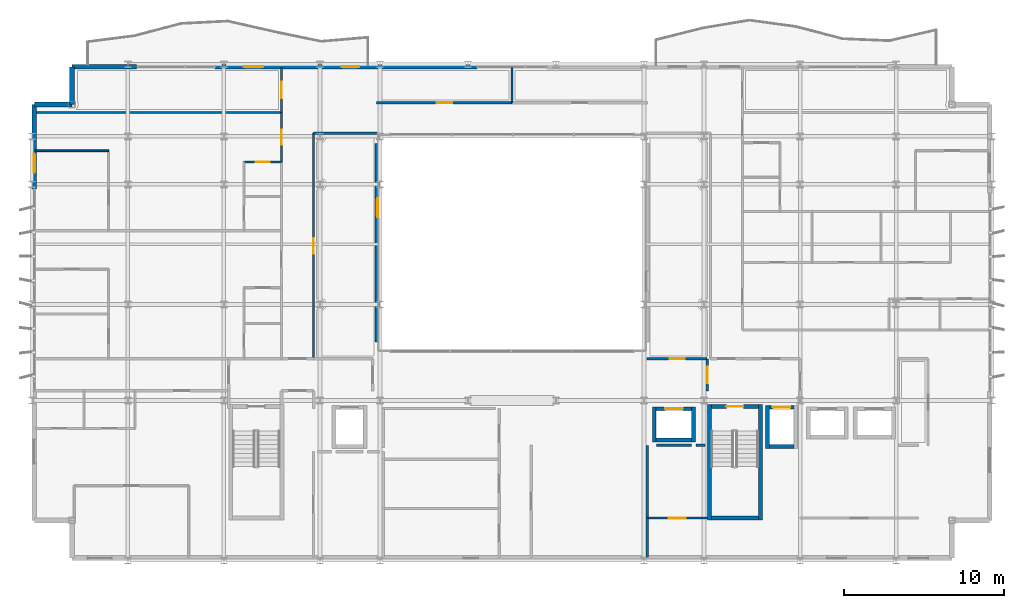
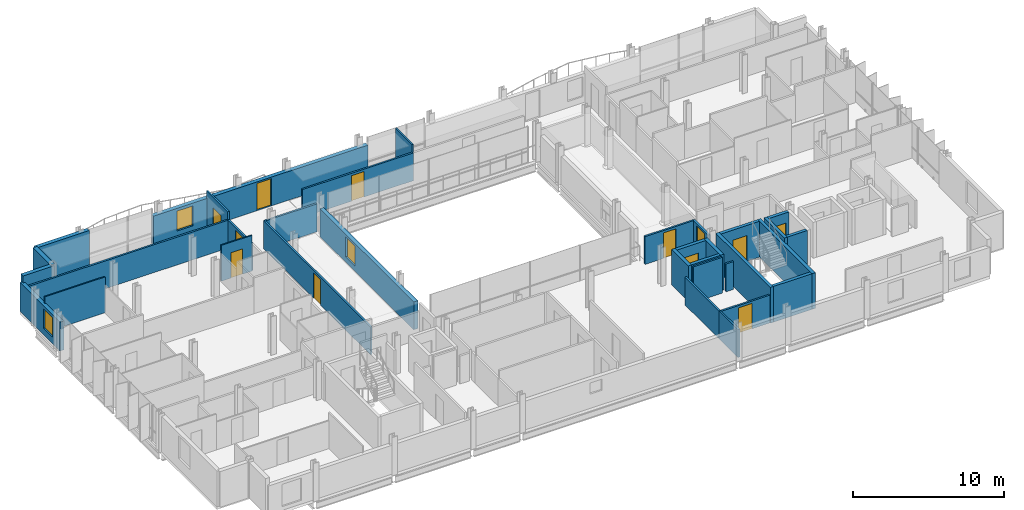
# One storey, part 31 of 38: 33 walls, 12 doors, 3 windows, 15 openings.
"""IFC4 building model written with IfcOpenShell, lengths in metres."""

from ifc_helpers import new_model, si_unit, direction, frame, frame_2d, origin, place, context, subcontext, project, spatial, rectangle, extrude, material, layer, layer_set, type_object, element, fill, save


model = new_model("IFC4")

# Units and contexts
model_context = context("Model", 3, precision=1e-05, world=origin(), true_north=direction((0.0, 1.0)))
body_context = subcontext(model_context, "Body", "Model", "MODEL_VIEW")
ifc_project = project(units=[si_unit("LENGTHUNIT", "METRE"), si_unit("AREAUNIT", "SQUARE_METRE"), si_unit("VOLUMEUNIT", "CUBIC_METRE"), si_unit("PLANEANGLEUNIT", "RADIAN"), si_unit("MASSUNIT", "GRAM", prefix="KILO")], contexts=[model_context])

# Site, building, storey
site_placement = place(None, origin())
site = spatial("IfcSite", under=ifc_project, at=site_placement, CompositionType="ELEMENT")
building_placement = place(site_placement, origin())
building = spatial("IfcBuilding", under=site, at=building_placement, Name="Brevholm Reach", CompositionType="ELEMENT")
storey_placement = place(building_placement, frame((0.0, 0.0, 166.60009765625)))
storey = spatial("IfcBuildingStorey", under=building, at=storey_placement, Name="L50", CompositionType="ELEMENT", Elevation=166.60009765625)

# Walls
ifc_material_1 = material(Name="Concrete C45/55", Category="concrete")
ifc_layer_1 = layer(ifc_material_1, 0.239990234375)
ifc_layer_set_1 = layer_set([ifc_layer_1], Name="Concrete C45/55")
wall_type_1 = type_object("IfcWallType", Name="WAL-COR-240", PredefinedType="SHEAR", material=ifc_layer_set_1)
for number, where, z_axis, x_axis, name in (
    (1, (42.330078125, 2.5400390625, 0.0), (0.0, 0.0, 1.0), (0.0, 1.0, 0.0), "L50 Escape Stair ST-2 Core Wall W"),
    (2, (45.52001953125, 2.5400390625, 0.0), (0.0, 0.0, 1.0), (0.0, 1.0, 0.0), "L50 Escape Stair ST-2 Core Wall E"),
):
    element("IfcWall", number, at=place(storey_placement, frame(where, z_axis=z_axis, x_axis=x_axis)), inside=storey, type_object=wall_type_1, Name=name, PredefinedType="SHEAR", context=body_context, shape_type="SweptSolid", body=[
        extrude(rectangle(XDim=7.199951171875, YDim=0.239990234375, at=frame_2d((3.60009765625, 0.0))), origin(), (0.0, 0.0, 1.0), 2.8798828125),
    ])
wall_1_placement = place(storey_placement, frame((42.449951171875, 2.659912109375, 0.0), z_axis=(0.0, 0.0, 1.0), x_axis=(1.0, 0.0, 0.0)))
element("IfcWall", 3, at=wall_1_placement, inside=storey, type_object=wall_type_1, Name="L50 Escape Stair ST-2 Core Wall S", PredefinedType="SHEAR", context=body_context, shape_type="SweptSolid", body=[
    extrude(rectangle(XDim=2.949951171875, YDim=0.239990234375, at=frame_2d((1.47509765625, 0.0))), origin(), (0.0, 0.0, 1.0), 2.8798828125),
])

# Wall, opening, door
wall_2_placement = place(storey_placement, frame((45.39990234375, 9.6201171875, 0.0), z_axis=(0.0, 0.0, 1.0), x_axis=(-1.0, 0.0, 0.0)))
wall_2 = element("IfcWall", 4, at=wall_2_placement, inside=storey, type_object=wall_type_1, Name="L50 Escape Stair ST-2 Core Wall N", PredefinedType="SHEAR", context=body_context, shape_type="SweptSolid", body=[
    extrude(rectangle(XDim=2.949951171875, YDim=0.239990234375, at=frame_2d((1.47509765625, 0.0))), origin(), (0.0, 0.0, 1.0), 2.8798828125),
])
opening_1_placement = place(wall_2_placement, frame((0.949951171875, 0.0, 0.0)))
opening_1 = element("IfcOpeningElement", 5, at=opening_1_placement, cuts=wall_2, Name="Opening SD-ST-2", PredefinedType="OPENING", context=body_context, shape_type="SweptSolid", body=[
    extrude(rectangle(XDim=1.050048828125, YDim=2.06005859375, at=frame_2d((0.52490234375, 1.030029296875))), frame((0.0, 0.1298828125, 0.0), z_axis=(0.0, -1.0, 0.0), x_axis=(1.0, 0.0, 0.0)), (0.0, 0.0, 1.0), 0.260009765625),
])
ifc_material_2 = material(Name="Hardwood-Lipped Steel-Core Fire and Smoke Door", Category="steel")
door_type_1 = type_object("IfcDoorType", Name="DOR-INT-FD60S", OperationType="NOTDEFINED", PredefinedType="DOOR", material=ifc_material_2)
door_1_placement = place(opening_1_placement, origin())
door_1 = element("IfcDoor", 6, at=door_1_placement, inside=storey, type_object=door_type_1, Name="L50 Protected Stair ST-2 Lobby Door", OperationType="SINGLE_SWING_LEFT", OverallHeight=2.06005859375, OverallWidth=1.050048828125, PredefinedType="DOOR", context=body_context, shape_type="SweptSolid", body=[
    extrude(rectangle(XDim=1.050048828125, YDim=2.06005859375, at=frame_2d((0.52490234375, 1.030029296875))), frame((0.0, 0.02490234375, 0.0), z_axis=(0.0, -1.0, 0.0), x_axis=(1.0, 0.0, 0.0)), (0.0, 0.0, 1.0), 0.050048828125),
])
fill(opening_1, door_1)

# Walls
wall_3_placement = place(storey_placement, frame((45.969970703125, 7.0, 0.0), z_axis=(0.0, 0.0, 1.0), x_axis=(0.0, 1.0, 0.0)))
element("IfcWall", 7, at=wall_3_placement, inside=storey, type_object=wall_type_1, Name="L50 Lift FFL-2 Shaft Wall W", PredefinedType="SHEAR", context=body_context, shape_type="SweptSolid", body=[
    extrude(rectangle(XDim=2.699951171875, YDim=0.239990234375, at=frame_2d((1.35009765625, 0.0))), origin(), (0.0, 0.0, 1.0), 2.8798828125),
])
wall_4_placement = place(storey_placement, frame((46.090087890625, 7.1201171875, 0.0), z_axis=(0.0, 0.0, 1.0), x_axis=(1.0, 0.0, 0.0)))
element("IfcWall", 8, at=wall_4_placement, inside=storey, type_object=wall_type_1, Name="L50 Lift FFL-2 Shaft Wall S", PredefinedType="SHEAR", context=body_context, shape_type="SweptSolid", body=[
    extrude(rectangle(XDim=1.52001953125, YDim=0.239990234375, at=frame_2d((0.760009765625, 0.0))), origin(), (0.0, 0.0, 1.0), 2.8798828125),
])

# Wall, opening, door
wall_5_placement = place(storey_placement, frame((46.090087890625, 9.580078125, 0.0), z_axis=(0.0, 0.0, 1.0), x_axis=(1.0, 0.0, 0.0)))
wall_5 = element("IfcWall", 9, at=wall_5_placement, inside=storey, type_object=wall_type_1, Name="L50 Lift FFL-2 Shaft Wall N", PredefinedType="SHEAR", context=body_context, shape_type="SweptSolid", body=[
    extrude(rectangle(XDim=1.52001953125, YDim=0.239990234375, at=frame_2d((0.760009765625, 0.0))), origin(), (0.0, 0.0, 1.0), 2.8798828125),
])
opening_2_placement = place(wall_5_placement, frame((0.2099609375, 0.0, 0.0)))
opening_2 = element("IfcOpeningElement", 10, at=opening_2_placement, cuts=wall_5, Name="Opening LD-FFL-2", PredefinedType="OPENING", context=body_context, shape_type="SweptSolid", body=[
    extrude(rectangle(XDim=1.10009765625, YDim=2.06005859375, at=frame_2d((0.550048828125, 1.030029296875))), frame((0.0, 0.1298828125, 0.0), z_axis=(0.0, -1.0, 0.0), x_axis=(1.0, 0.0, 0.0)), (0.0, 0.0, 1.0), 0.260009765625),
])
ifc_material_3 = material(Name="Brushed Stainless Steel Fire-Rated Sliding Lift Door", Category="steel")
door_type_2 = type_object("IfcDoorType", Name="DOR-LFT-1100", OperationType="NOTDEFINED", PredefinedType="DOOR", material=ifc_material_3)
door_2_placement = place(opening_2_placement, origin())
door_2 = element("IfcDoor", 11, at=door_2_placement, inside=storey, type_object=door_type_2, Name="L50 Lift FFL-2 Sliding Landing Door", OperationType="SLIDING_TO_LEFT", OverallHeight=2.06005859375, OverallWidth=1.10009765625, PredefinedType="DOOR", context=body_context, shape_type="SweptSolid", body=[
    extrude(rectangle(XDim=1.10009765625, YDim=2.06005859375, at=frame_2d((0.550048828125, 1.030029296875))), frame((0.0, 0.02490234375, 0.0), z_axis=(0.0, -1.0, 0.0), x_axis=(1.0, 0.0, 0.0)), (0.0, 0.0, 1.0), 0.050048828125),
])
fill(opening_2, door_2)

# Walls
for number, where, z_axis, x_axis, name in (
    (12, (38.889892578125, 7.39990234375, 0.0), (0.0, 0.0, 1.0), (0.0, 1.0, 0.0), "L50 Lift PL-S1 Shaft Wall W"),
    (13, (41.35009765625, 7.39990234375, 0.0), (0.0, 0.0, 1.0), (0.0, 1.0, 0.0), "L50 Lift PL-S1 Shaft Wall E"),
):
    element("IfcWall", number, at=place(storey_placement, frame(where, z_axis=z_axis, x_axis=x_axis)), inside=storey, type_object=wall_type_1, Name=name, PredefinedType="SHEAR", context=body_context, shape_type="SweptSolid", body=[
        extrude(rectangle(XDim=2.2001953125, YDim=0.239990234375, at=frame_2d((1.10009765625, 0.0))), origin(), (0.0, 0.0, 1.0), 2.8798828125),
    ])
wall_6_placement = place(storey_placement, frame((39.010009765625, 7.52001953125, 0.0), z_axis=(0.0, 0.0, 1.0), x_axis=(1.0, 0.0, 0.0)))
element("IfcWall", 14, at=wall_6_placement, inside=storey, type_object=wall_type_1, Name="L50 Lift PL-S1 Shaft Wall S", PredefinedType="SHEAR", context=body_context, shape_type="SweptSolid", body=[
    extrude(rectangle(XDim=2.219970703125, YDim=0.239990234375, at=frame_2d((1.10986328125, 0.0))), origin(), (0.0, 0.0, 1.0), 2.8798828125),
])

# Wall, opening, door
wall_7_placement = place(storey_placement, frame((39.010009765625, 9.47998046875, 0.0), z_axis=(0.0, 0.0, 1.0), x_axis=(1.0, 0.0, 0.0)))
wall_7 = element("IfcWall", 15, at=wall_7_placement, inside=storey, type_object=wall_type_1, Name="L50 Lift PL-S1 Shaft Wall N", PredefinedType="SHEAR", context=body_context, shape_type="SweptSolid", body=[
    extrude(rectangle(XDim=2.219970703125, YDim=0.239990234375, at=frame_2d((1.10986328125, 0.0))), origin(), (0.0, 0.0, 1.0), 2.8798828125),
])
opening_3_placement = place(wall_7_placement, frame((0.56005859375, 0.0, 0.0)))
opening_3 = element("IfcOpeningElement", 16, at=opening_3_placement, cuts=wall_7, Name="Opening LD-PL-S1", PredefinedType="OPENING", context=body_context, shape_type="SweptSolid", body=[
    extrude(rectangle(XDim=1.10009765625, YDim=2.06005859375, at=frame_2d((0.550048828125, 1.030029296875))), frame((0.0, 0.1298828125, 0.0), z_axis=(0.0, -1.0, 0.0), x_axis=(1.0, 0.0, 0.0)), (0.0, 0.0, 1.0), 0.260009765625),
])
door_3_placement = place(opening_3_placement, origin())
door_3 = element("IfcDoor", 17, at=door_3_placement, inside=storey, type_object=door_type_2, Name="L50 Lift PL-S1 Sliding Landing Door", OperationType="SLIDING_TO_RIGHT", OverallHeight=2.06005859375, OverallWidth=1.10009765625, PredefinedType="DOOR", context=body_context, shape_type="SweptSolid", body=[
    extrude(rectangle(XDim=1.10009765625, YDim=2.06005859375, at=frame_2d((0.550048828125, 1.030029296875))), frame((0.0, 0.02490234375, 0.0), z_axis=(0.0, -1.0, 0.0), x_axis=(1.0, 0.0, 0.0)), (0.0, 0.0, 1.0), 0.050048828125),
])
fill(opening_3, door_3)

# Walls
ifc_material_4 = material(Name="Concrete C40/50", Category="concrete")
ifc_layer_2 = layer(ifc_material_4, 0.300048828125)
ifc_layer_set_2 = layer_set([ifc_layer_2], Name="Concrete C40/50")
wall_type_2 = type_object("IfcWallType", Name="WAL-EXT-300", PredefinedType="STANDARD", material=ifc_layer_set_2)
for number, where, z_axis, x_axis, name in (
    (18, (2.5, 30.85009765625, 0.0), (0.0, 0.0, 1.0), (0.0, -1.0, 0.0), "L50 Facade Wall WAL-L50-CNW1"),
    (19, (2.5, 28.5, 0.0), (0.0, 0.0, 1.0), (-1.0, 0.0, 0.0), "L50 Facade Wall WAL-L50-CNW2"),
):
    element("IfcWall", number, at=place(storey_placement, frame(where, z_axis=z_axis, x_axis=x_axis)), inside=storey, type_object=wall_type_2, Name=name, PredefinedType="STANDARD", context=body_context, shape_type="SweptSolid", body=[
        extrude(rectangle(XDim=2.35009765625, YDim=0.300048828125, at=frame_2d((1.175048828125, 0.0))), origin(), (0.0, 0.0, 1.0), 2.8798828125),
    ])

# Wall, opening, window
wall_8_placement = place(storey_placement, frame((0.14990234375, 28.5, 0.0), z_axis=(0.0, 0.0, 1.0), x_axis=(0.0, -1.0, 0.0)))
wall_8 = element("IfcWall", 20, at=wall_8_placement, inside=storey, type_object=wall_type_2, Name="L50 Facade Wall WAL-L50-W-N", PredefinedType="STANDARD", context=body_context, shape_type="SweptSolid", body=[
    extrude(rectangle(XDim=5.280029296875, YDim=0.300048828125, at=frame_2d((2.64013671875, 0.0))), origin(), (0.0, 0.0, 1.0), 2.32177734375),
])
opening_4_placement = place(wall_8_placement, frame((3.080078125, 0.0, 0.501953125)))
opening_4 = element("IfcOpeningElement", 21, at=opening_4_placement, cuts=wall_8, Name="Opening WN-08", PredefinedType="OPENING", context=body_context, shape_type="SweptSolid", body=[
    extrude(rectangle(XDim=1.199951171875, YDim=1.60009765625, at=frame_2d((0.60009765625, 0.800048828125))), frame((0.0, 0.159912109375, 0.0), z_axis=(0.0, -1.0, 0.0), x_axis=(1.0, 0.0, 0.0)), (0.0, 0.0, 1.0), 0.320068359375),
])
ifc_material_5 = material(Name="Dark Anodised Aluminium and Solar-Control IGU Glass", Category="aluminium")
window_type = type_object("IfcWindowType", Name="WIN-RES-1200", PartitioningType="SINGLE_PANEL", PredefinedType="WINDOW", material=ifc_material_5)
window_1_placement = place(opening_4_placement, origin())
window_1 = element("IfcWindow", 22, at=window_1_placement, inside=storey, type_object=window_type, Name="L50 Window WIN-L50-WN-1", OverallHeight=1.60009765625, OverallWidth=1.199951171875, PartitioningType="SINGLE_PANEL", PredefinedType="WINDOW", context=body_context, shape_type="SweptSolid", body=[
    extrude(rectangle(XDim=1.199951171875, YDim=1.60009765625, at=frame_2d((0.60009765625, 0.800048828125))), frame((0.0, 0.030029296875, 0.0), z_axis=(0.0, -1.0, 0.0), x_axis=(1.0, 0.0, 0.0)), (0.0, 0.0, 1.0), 0.06005859375),
])
fill(opening_4, window_1)

# Wall
wall_9_placement = place(storey_placement, frame((2.5, 30.85009765625, 0.0), z_axis=(0.0, 0.0, 1.0), x_axis=(1.0, 0.0, 0.0)))
element("IfcWall", 23, at=wall_9_placement, inside=storey, type_object=wall_type_2, Name="L50 Facade Wall WAL-L50-NP-W0", PredefinedType="STANDARD", context=body_context, shape_type="SweptSolid", body=[
    extrude(rectangle(XDim=4.050048828125, YDim=0.300048828125, at=frame_2d((2.02490234375, 0.0))), origin(), (0.0, 0.0, 1.0), 2.8798828125),
])

# Wall, openings, door, window
wall_10_placement = place(storey_placement, frame((11.449951171875, 30.85009765625, 0.0), z_axis=(0.0, 0.0, 1.0), x_axis=(1.0, 0.0, 0.0)))
wall_10 = element("IfcWall", 24, at=wall_10_placement, inside=storey, type_object=wall_type_2, Name="L50 Facade Wall WAL-L50-NP-WL", PredefinedType="STANDARD", context=body_context, shape_type="SweptSolid", body=[
    extrude(rectangle(XDim=16.35009765625, YDim=0.300048828125, at=frame_2d((8.175048828125, 0.0))), origin(), (0.0, 0.0, 1.0), 2.32177734375),
])
opening_5_placement = place(wall_10_placement, frame((7.89794921875, 0.0, 0.0)))
opening_5 = element("IfcOpeningElement", 25, at=opening_5_placement, cuts=wall_10, Name="Opening BD-01", PredefinedType="OPENING", context=body_context, shape_type="SweptSolid", body=[
    extrude(rectangle(XDim=1.10009765625, YDim=2.199951171875, at=frame_2d((0.550048828125, 1.10009765625))), frame((0.0, 0.159912109375, 0.0), z_axis=(0.0, -1.0, 0.0), x_axis=(1.0, 0.0, 0.0)), (0.0, 0.0, 1.0), 0.320068359375),
])
opening_6_placement = place(wall_10_placement, frame((1.800048828125, 0.0, 0.501953125)))
opening_6 = element("IfcOpeningElement", 26, at=opening_6_placement, cuts=wall_10, Name="Opening WN-08", PredefinedType="OPENING", context=body_context, shape_type="SweptSolid", body=[
    extrude(rectangle(XDim=1.199951171875, YDim=1.60009765625, at=frame_2d((0.60009765625, 0.800048828125))), frame((0.0, 0.159912109375, 0.0), z_axis=(0.0, -1.0, 0.0), x_axis=(1.0, 0.0, 0.0)), (0.0, 0.0, 1.0), 0.320068359375),
])
ifc_material_6 = material(Name="Dark Anodised Aluminium and Triple-Glazed Glass", Category="aluminium")
door_type_3 = type_object("IfcDoorType", Name="DOR-BALC-1100", OperationType="NOTDEFINED", PredefinedType="DOOR", material=ifc_material_6)
door_4_placement = place(opening_5_placement, origin())
door_4 = element("IfcDoor", 27, at=door_4_placement, inside=storey, type_object=door_type_3, Name="L50 Exterior Door DOR-L50-BL-NW", OperationType="SINGLE_SWING_RIGHT", OverallHeight=2.199951171875, OverallWidth=1.10009765625, PredefinedType="DOOR", context=body_context, shape_type="SweptSolid", body=[
    extrude(rectangle(XDim=1.10009765625, YDim=2.199951171875, at=frame_2d((0.550048828125, 1.10009765625))), frame((0.0, 0.02490234375, 0.0), z_axis=(0.0, -1.0, 0.0), x_axis=(1.0, 0.0, 0.0)), (0.0, 0.0, 1.0), 0.050048828125),
])
fill(opening_5, door_4)
window_2_placement = place(opening_6_placement, origin())
window_2 = element("IfcWindow", 28, at=window_2_placement, inside=storey, type_object=window_type, Name="L50 Window WIN-L50-NP-WL1", OverallHeight=1.60009765625, OverallWidth=1.199951171875, PartitioningType="SINGLE_PANEL", PredefinedType="WINDOW", context=body_context, shape_type="SweptSolid", body=[
    extrude(rectangle(XDim=1.199951171875, YDim=1.60009765625, at=frame_2d((0.60009765625, 0.800048828125))), frame((0.0, 0.030029296875, 0.0), z_axis=(0.0, -1.0, 0.0), x_axis=(1.0, 0.0, 0.0)), (0.0, 0.0, 1.0), 0.06005859375),
])
fill(opening_6, window_2)

# Wall, opening, window
wall_11_placement = place(storey_placement, frame((21.60009765625, 26.050048828125, 0.0), z_axis=(0.0, 0.0, 1.0), x_axis=(0.0, -1.0, 0.0)))
wall_11 = element("IfcWall", 29, at=wall_11_placement, inside=storey, type_object=wall_type_2, Name="L50 Facade Wall WAL-L50-AT-W", PredefinedType="STANDARD", context=body_context, shape_type="SweptSolid", body=[
    extrude(rectangle(XDim=12.400146484375, YDim=0.300048828125, at=frame_2d((6.2001953125, 0.0))), origin(), (0.0, 0.0, 1.0), 2.24267578125),
])
opening_7_placement = place(wall_11_placement, frame((3.39990234375, 0.0, 0.423095703125)))
opening_7 = element("IfcOpeningElement", 30, at=opening_7_placement, cuts=wall_11, Name="Opening WN-08", PredefinedType="OPENING", context=body_context, shape_type="SweptSolid", body=[
    extrude(rectangle(XDim=1.199951171875, YDim=1.60009765625, at=frame_2d((0.60009765625, 0.800048828125))), frame((0.0, 0.159912109375, 0.0), z_axis=(0.0, -1.0, 0.0), x_axis=(1.0, 0.0, 0.0)), (0.0, 0.0, 1.0), 0.320068359375),
])
window_3_placement = place(opening_7_placement, origin())
window_3 = element("IfcWindow", 31, at=window_3_placement, inside=storey, type_object=window_type, Name="L50 Window WIN-L50-AT-W1", OverallHeight=1.60009765625, OverallWidth=1.199951171875, PartitioningType="SINGLE_PANEL", PredefinedType="WINDOW", context=body_context, shape_type="SweptSolid", body=[
    extrude(rectangle(XDim=1.199951171875, YDim=1.60009765625, at=frame_2d((0.60009765625, 0.800048828125))), frame((0.0, 0.030029296875, 0.0), z_axis=(0.0, -1.0, 0.0), x_axis=(1.0, 0.0, 0.0)), (0.0, 0.0, 1.0), 0.06005859375),
])
fill(opening_7, window_3)

# Wall, opening, door
ifc_material_7 = material(Name="Moisture-Resistant Acoustic Gypsum Stud Partition 100 mm", Category="gypsum")
ifc_layer_3 = layer(ifc_material_7, 0.10009765625)
ifc_layer_set_3 = layer_set([ifc_layer_3], Name="Moisture-Resistant Acoustic Gypsum Stud Partition 100 mm")
wall_type_3 = type_object("IfcWallType", Name="WAL-PRT-100", PredefinedType="PARTITIONING", material=ifc_layer_set_3)
wall_12_placement = place(storey_placement, frame((13.25, 24.89990234375, 0.0), z_axis=(0.0, 0.0, 1.0), x_axis=(1.0, 0.0, 0.0)))
wall_12 = element("IfcWall", 32, at=wall_12_placement, inside=storey, type_object=wall_type_3, Name="L50 Internal Partition 081", PredefinedType="PARTITIONING", context=body_context, shape_type="SweptSolid", body=[
    extrude(rectangle(XDim=2.345947265625, YDim=0.10009765625, at=frame_2d((1.1728515625, 0.0))), origin(), (0.0, 0.0, 1.0), 2.8798828125),
])
opening_8_placement = place(wall_12_placement, frame((0.73291015625, 0.0, 0.0)))
opening_8 = element("IfcOpeningElement", 33, at=opening_8_placement, cuts=wall_12, Name="Opening ID-01", PredefinedType="OPENING", context=body_context, shape_type="SweptSolid", body=[
    extrude(rectangle(XDim=0.8798828125, YDim=2.0400390625, at=frame_2d((0.43994140625, 1.02001953125))), frame((0.0, 0.06005859375, 0.0), z_axis=(0.0, -1.0, 0.0), x_axis=(1.0, 0.0, 0.0)), (0.0, 0.0, 1.0), 0.1201171875),
])
ifc_material_8 = material(Name="Lacquered Ash Solid-Core Acoustic Internal Door", Category="timber")
door_type_4 = type_object("IfcDoorType", Name="DOR-INT-880", OperationType="NOTDEFINED", PredefinedType="DOOR", material=ifc_material_8)
door_5_placement = place(opening_8_placement, origin())
door_5 = element("IfcDoor", 34, at=door_5_placement, inside=storey, type_object=door_type_4, Name="L50 Internal Door 036", OperationType="SINGLE_SWING_RIGHT", OverallHeight=2.0400390625, OverallWidth=0.8798828125, PredefinedType="DOOR", context=body_context, shape_type="SweptSolid", body=[
    extrude(rectangle(XDim=0.8798828125, YDim=2.0400390625, at=frame_2d((0.43994140625, 1.02001953125))), frame((0.0, 0.02490234375, 0.0), z_axis=(0.0, -1.0, 0.0), x_axis=(1.0, 0.0, 0.0)), (0.0, 0.0, 1.0), 0.050048828125),
])
fill(opening_8, door_5)

# Walls
wall_13_placement = place(storey_placement, frame((0.199951171875, 25.60009765625, 0.0), z_axis=(0.0, 0.0, 1.0), x_axis=(1.0, 0.0, 0.0)))
element("IfcWall", 35, at=wall_13_placement, inside=storey, type_object=wall_type_3, Name="L50 Internal Partition 084", PredefinedType="PARTITIONING", context=body_context, shape_type="SweptSolid", body=[
    extrude(rectangle(XDim=4.60009765625, YDim=0.10009765625, at=frame_2d((2.300048828125, 0.0))), origin(), (0.0, 0.0, 1.0), 2.8798828125),
])
wall_14_placement = place(storey_placement, frame((30.0, 28.60400390625, 0.0), z_axis=(0.0, 0.0, 1.0), x_axis=(0.0, 1.0, 0.0)))
element("IfcWall", 36, at=wall_14_placement, inside=storey, type_object=wall_type_3, Name="L50 Internal Partition 109", PredefinedType="PARTITIONING", context=body_context, shape_type="SweptSolid", body=[
    extrude(rectangle(XDim=2.196044921875, YDim=0.10009765625, at=frame_2d((1.09814453125, 0.0))), origin(), (0.0, 0.0, 1.0), 2.8798828125),
])
ifc_material_9 = material(Name="Twin-Stud Acoustic Fire-Rated Gypsum Partition 140 mm", Category="gypsum")
ifc_layer_4 = layer(ifc_material_9, 0.139892578125)
ifc_layer_set_4 = layer_set([ifc_layer_4], Name="Twin-Stud Acoustic Fire-Rated Gypsum Partition 140 mm")
wall_type_4 = type_object("IfcWallType", Name="WAL-PRT-140", PredefinedType="PARTITIONING", material=ifc_layer_set_4)
wall_15_placement = place(storey_placement, frame((38.449951171875, 0.179931640625, 0.0), z_axis=(0.0, 0.0, 1.0), x_axis=(0.0, 1.0, 0.0)))
element("IfcWall", 37, at=wall_15_placement, inside=storey, type_object=wall_type_4, Name="L50 Internal Partition 010", PredefinedType="PARTITIONING", context=body_context, shape_type="SweptSolid", body=[
    extrude(rectangle(XDim=2.4814453125, YDim=0.139892578125, at=frame_2d((1.24072265625, 0.0))), origin(), (0.0, 0.0, 1.0), 2.24267578125),
])
wall_16_placement = place(storey_placement, frame((38.449951171875, 2.642578125, 0.0), z_axis=(0.0, 0.0, 1.0), x_axis=(0.0, 1.0, 0.0)))
element("IfcWall", 38, at=wall_16_placement, inside=storey, type_object=wall_type_4, Name="L50 Internal Partition 011", PredefinedType="PARTITIONING", context=body_context, shape_type="SweptSolid", body=[
    extrude(rectangle(XDim=4.557373046875, YDim=0.139892578125, at=frame_2d((2.27880859375, 0.0))), origin(), (0.0, 0.0, 1.0), 2.24267578125),
])

# Wall, opening, door
wall_17_placement = place(storey_placement, frame((38.4541015625, 2.64990234375, 0.0), z_axis=(0.0, 0.0, 1.0), x_axis=(1.0, 0.0, 0.0)))
wall_17 = element("IfcWall", 39, at=wall_17_placement, inside=storey, type_object=wall_type_4, Name="L50 Internal Partition 013", PredefinedType="PARTITIONING", context=body_context, shape_type="SweptSolid", body=[
    extrude(rectangle(XDim=3.745849609375, YDim=0.139892578125, at=frame_2d((1.873046875, 0.0))), origin(), (0.0, 0.0, 1.0), 2.24267578125),
])
opening_9_placement = place(wall_17_placement, frame((1.347900390625, 0.0, 0.0)))
opening_9 = element("IfcOpeningElement", 40, at=opening_9_placement, cuts=wall_17, Name="Opening FD-01", PredefinedType="OPENING", context=body_context, shape_type="SweptSolid", body=[
    extrude(rectangle(XDim=1.050048828125, YDim=2.06005859375, at=frame_2d((0.52490234375, 1.030029296875))), frame((0.0, 0.079833984375, 0.0), z_axis=(0.0, -1.0, 0.0), x_axis=(1.0, 0.0, 0.0)), (0.0, 0.0, 1.0), 0.159912109375),
])
door_6_placement = place(opening_9_placement, origin())
door_6 = element("IfcDoor", 41, at=door_6_placement, inside=storey, type_object=door_type_1, Name="L50 Internal Door 006", OperationType="SINGLE_SWING_RIGHT", OverallHeight=2.06005859375, OverallWidth=1.050048828125, PredefinedType="DOOR", context=body_context, shape_type="SweptSolid", body=[
    extrude(rectangle(XDim=1.050048828125, YDim=2.06005859375, at=frame_2d((0.52490234375, 1.030029296875))), frame((0.0, 0.02490234375, 0.0), z_axis=(0.0, -1.0, 0.0), x_axis=(1.0, 0.0, 0.0)), (0.0, 0.0, 1.0), 0.050048828125),
])
fill(opening_9, door_6)

wall_18_placement = place(storey_placement, frame((38.438720703125, 12.60009765625, 0.0), z_axis=(0.0, 0.0, 1.0), x_axis=(1.0, 0.0, 0.0)))
wall_18 = element("IfcWall", 42, at=wall_18_placement, inside=storey, type_object=wall_type_4, Name="L50 Internal Partition 033", PredefinedType="PARTITIONING", context=body_context, shape_type="SweptSolid", body=[
    extrude(rectangle(XDim=3.75732421875, YDim=0.139892578125, at=frame_2d((1.878662109375, 0.0))), origin(), (0.0, 0.0, 1.0), 2.24267578125),
])
opening_10_placement = place(wall_18_placement, frame((1.40380859375, 0.0, 0.0)))
opening_10 = element("IfcOpeningElement", 43, at=opening_10_placement, cuts=wall_18, Name="Opening ID-30", PredefinedType="OPENING", context=body_context, shape_type="SweptSolid", body=[
    extrude(rectangle(XDim=0.949951171875, YDim=2.050048828125, at=frame_2d((0.47509765625, 1.02490234375))), frame((0.0, 0.079833984375, 0.0), z_axis=(0.0, -1.0, 0.0), x_axis=(1.0, 0.0, 0.0)), (0.0, 0.0, 1.0), 0.159912109375),
])
ifc_material_10 = material(Name="European Oak Veneered Solid-Core Fire Entrance Door", Category="timber")
door_type_5 = type_object("IfcDoorType", Name="DOR-FLT-FD30S", OperationType="NOTDEFINED", PredefinedType="DOOR", material=ifc_material_10)
door_7_placement = place(opening_10_placement, origin())
door_7 = element("IfcDoor", 44, at=door_7_placement, inside=storey, type_object=door_type_5, Name="L50 Internal Door 017", OperationType="SINGLE_SWING_LEFT", OverallHeight=2.050048828125, OverallWidth=0.949951171875, PredefinedType="DOOR", context=body_context, shape_type="SweptSolid", body=[
    extrude(rectangle(XDim=0.949951171875, YDim=2.050048828125, at=frame_2d((0.47509765625, 1.02490234375))), frame((0.0, 0.02490234375, 0.0), z_axis=(0.0, -1.0, 0.0), x_axis=(1.0, 0.0, 0.0)), (0.0, 0.0, 1.0), 0.050048828125),
])
fill(opening_10, door_7)

wall_19_placement = place(storey_placement, frame((15.60009765625, 24.892578125, 0.0), z_axis=(0.0, 0.0, 1.0), x_axis=(0.0, 1.0, 0.0)))
wall_19 = element("IfcWall", 45, at=wall_19_placement, inside=storey, type_object=wall_type_4, Name="L50 Internal Partition 039", PredefinedType="PARTITIONING", context=body_context, shape_type="SweptSolid", body=[
    extrude(rectangle(XDim=3.11865234375, YDim=0.139892578125, at=frame_2d((1.559326171875, 0.0))), origin(), (0.0, 0.0, 1.0), 2.24267578125),
])
opening_11_placement = place(wall_19_placement, frame((1.084228515625, 0.0, 0.0)))
opening_11 = element("IfcOpeningElement", 46, at=opening_11_placement, cuts=wall_19, Name="Opening ID-30", PredefinedType="OPENING", context=body_context, shape_type="SweptSolid", body=[
    extrude(rectangle(XDim=0.949951171875, YDim=2.050048828125, at=frame_2d((0.47509765625, 1.02490234375))), frame((0.0, 0.079833984375, 0.0), z_axis=(0.0, -1.0, 0.0), x_axis=(1.0, 0.0, 0.0)), (0.0, 0.0, 1.0), 0.159912109375),
])
door_8_placement = place(opening_11_placement, origin())
door_8 = element("IfcDoor", 47, at=door_8_placement, inside=storey, type_object=door_type_5, Name="L50 Internal Door 019", OperationType="SINGLE_SWING_LEFT", OverallHeight=2.050048828125, OverallWidth=0.949951171875, PredefinedType="DOOR", context=body_context, shape_type="SweptSolid", body=[
    extrude(rectangle(XDim=0.949951171875, YDim=2.050048828125, at=frame_2d((0.47509765625, 1.02490234375))), frame((0.0, 0.02490234375, 0.0), z_axis=(0.0, -1.0, 0.0), x_axis=(1.0, 0.0, 0.0)), (0.0, 0.0, 1.0), 0.050048828125),
])
fill(opening_11, door_8)

wall_20_placement = place(storey_placement, frame((17.60009765625, 12.60400390625, 0.0), z_axis=(0.0, 0.0, 1.0), x_axis=(0.0, 1.0, 0.0)))
wall_20 = element("IfcWall", 48, at=wall_20_placement, inside=storey, type_object=wall_type_4, Name="L50 Internal Partition 040", PredefinedType="PARTITIONING", context=body_context, shape_type="SweptSolid", body=[
    extrude(rectangle(XDim=14.103271484375, YDim=0.139892578125, at=frame_2d((7.0517578125, 0.0))), origin(), (0.0, 0.0, 1.0), 2.24267578125),
])
opening_12_placement = place(wall_20_placement, frame((6.57666015625, 0.0, 0.0)))
opening_12 = element("IfcOpeningElement", 49, at=opening_12_placement, cuts=wall_20, Name="Opening ID-30", PredefinedType="OPENING", context=body_context, shape_type="SweptSolid", body=[
    extrude(rectangle(XDim=0.949951171875, YDim=2.050048828125, at=frame_2d((0.47509765625, 1.02490234375))), frame((0.0, 0.079833984375, 0.0), z_axis=(0.0, -1.0, 0.0), x_axis=(1.0, 0.0, 0.0)), (0.0, 0.0, 1.0), 0.159912109375),
])
door_9_placement = place(opening_12_placement, origin())
door_9 = element("IfcDoor", 50, at=door_9_placement, inside=storey, type_object=door_type_5, Name="L50 Internal Door 020", OperationType="SINGLE_SWING_RIGHT", OverallHeight=2.050048828125, OverallWidth=0.949951171875, PredefinedType="DOOR", context=body_context, shape_type="SweptSolid", body=[
    extrude(rectangle(XDim=0.949951171875, YDim=2.050048828125, at=frame_2d((0.47509765625, 1.02490234375))), frame((0.0, 0.02490234375, 0.0), z_axis=(0.0, -1.0, 0.0), x_axis=(1.0, 0.0, 0.0)), (0.0, 0.0, 1.0), 0.050048828125),
])
fill(opening_12, door_9)

wall_21_placement = place(storey_placement, frame((15.60009765625, 27.99267578125, 0.0), z_axis=(0.0, 0.0, 1.0), x_axis=(0.0, 1.0, 0.0)))
wall_21 = element("IfcWall", 51, at=wall_21_placement, inside=storey, type_object=wall_type_4, Name="L50 Internal Partition 041", PredefinedType="PARTITIONING", context=body_context, shape_type="SweptSolid", body=[
    extrude(rectangle(XDim=2.807373046875, YDim=0.139892578125, at=frame_2d((1.40380859375, 0.0))), origin(), (0.0, 0.0, 1.0), 2.8798828125),
])
opening_13_placement = place(wall_21_placement, frame((0.878662109375, 0.0, 0.0)))
opening_13 = element("IfcOpeningElement", 52, at=opening_13_placement, cuts=wall_21, Name="Opening FD-01", PredefinedType="OPENING", context=body_context, shape_type="SweptSolid", body=[
    extrude(rectangle(XDim=1.050048828125, YDim=2.06005859375, at=frame_2d((0.52490234375, 1.030029296875))), frame((0.0, 0.079833984375, 0.0), z_axis=(0.0, -1.0, 0.0), x_axis=(1.0, 0.0, 0.0)), (0.0, 0.0, 1.0), 0.159912109375),
])
door_10_placement = place(opening_13_placement, origin())
door_10 = element("IfcDoor", 53, at=door_10_placement, inside=storey, type_object=door_type_1, Name="L50 Internal Door 021", OperationType="SINGLE_SWING_LEFT", OverallHeight=2.06005859375, OverallWidth=1.050048828125, PredefinedType="DOOR", context=body_context, shape_type="SweptSolid", body=[
    extrude(rectangle(XDim=1.050048828125, YDim=2.06005859375, at=frame_2d((0.52490234375, 1.030029296875))), frame((0.0, 0.02490234375, 0.0), z_axis=(0.0, -1.0, 0.0), x_axis=(1.0, 0.0, 0.0)), (0.0, 0.0, 1.0), 0.050048828125),
])
fill(opening_13, door_10)

# Wall
wall_22_placement = place(storey_placement, frame((17.60400390625, 26.699951171875, 0.0), z_axis=(0.0, 0.0, 1.0), x_axis=(1.0, 0.0, 0.0)))
element("IfcWall", 54, at=wall_22_placement, inside=storey, type_object=wall_type_4, Name="L50 Internal Partition 052", PredefinedType="PARTITIONING", context=body_context, shape_type="SweptSolid", body=[
    extrude(rectangle(XDim=3.957275390625, YDim=0.139892578125, at=frame_2d((1.978515625, 0.0))), origin(), (0.0, 0.0, 1.0), 2.24267578125),
])

# Wall, opening, door
wall_23_placement = place(storey_placement, frame((21.542724609375, 28.60009765625, 0.0), z_axis=(0.0, 0.0, 1.0), x_axis=(1.0, 0.0, 0.0)))
wall_23 = element("IfcWall", 55, at=wall_23_placement, inside=storey, type_object=wall_type_4, Name="L50 Internal Partition 054", PredefinedType="PARTITIONING", context=body_context, shape_type="SweptSolid", body=[
    extrude(rectangle(XDim=8.468505859375, YDim=0.139892578125, at=frame_2d((4.234375, 0.0))), origin(), (0.0, 0.0, 1.0), 2.24267578125),
])
opening_14_placement = place(wall_23_placement, frame((3.75927734375, 0.0, 0.0)))
opening_14 = element("IfcOpeningElement", 56, at=opening_14_placement, cuts=wall_23, Name="Opening ID-30", PredefinedType="OPENING", context=body_context, shape_type="SweptSolid", body=[
    extrude(rectangle(XDim=0.949951171875, YDim=2.050048828125, at=frame_2d((0.47509765625, 1.02490234375))), frame((0.0, 0.079833984375, 0.0), z_axis=(0.0, -1.0, 0.0), x_axis=(1.0, 0.0, 0.0)), (0.0, 0.0, 1.0), 0.159912109375),
])
door_11_placement = place(opening_14_placement, origin())
door_11 = element("IfcDoor", 57, at=door_11_placement, inside=storey, type_object=door_type_5, Name="L50 Internal Door 025", OperationType="SINGLE_SWING_LEFT", OverallHeight=2.050048828125, OverallWidth=0.949951171875, PredefinedType="DOOR", context=body_context, shape_type="SweptSolid", body=[
    extrude(rectangle(XDim=0.949951171875, YDim=2.050048828125, at=frame_2d((0.47509765625, 1.02490234375))), frame((0.0, 0.02490234375, 0.0), z_axis=(0.0, -1.0, 0.0), x_axis=(1.0, 0.0, 0.0)), (0.0, 0.0, 1.0), 0.050048828125),
])
fill(opening_14, door_11)

# Walls
wall_24_placement = place(storey_placement, frame((0.199951171875, 28.0, 0.0), z_axis=(0.0, 0.0, 1.0), x_axis=(1.0, 0.0, 0.0)))
element("IfcWall", 58, at=wall_24_placement, inside=storey, type_object=wall_type_4, Name="L50 Internal Partition 085", PredefinedType="PARTITIONING", context=body_context, shape_type="SweptSolid", body=[
    extrude(rectangle(XDim=15.39599609375, YDim=0.139892578125, at=frame_2d((7.697998046875, 0.0))), origin(), (0.0, 0.0, 1.0), 2.24267578125),
])
wall_25_placement = place(storey_placement, frame((41.482666015625, 7.199951171875, 0.0), z_axis=(0.0, 0.0, 1.0), x_axis=(1.0, 0.0, 0.0)))
element("IfcWall", 59, at=wall_25_placement, inside=storey, type_object=wall_type_4, Name="L50 Internal Partition 112", PredefinedType="PARTITIONING", context=body_context, shape_type="SweptSolid", body=[
    extrude(rectangle(XDim=0.577392578125, YDim=0.139892578125, at=frame_2d((0.28857421875, 0.0))), origin(), (0.0, 0.0, 1.0), 2.24267578125),
])
wall_26_placement = place(storey_placement, frame((39.022705078125, 7.199951171875, 0.0), z_axis=(0.0, 0.0, 1.0), x_axis=(1.0, 0.0, 0.0)))
element("IfcWall", 60, at=wall_26_placement, inside=storey, type_object=wall_type_4, Name="L50 Internal Partition 113", PredefinedType="PARTITIONING", context=body_context, shape_type="SweptSolid", body=[
    extrude(rectangle(XDim=2.194580078125, YDim=0.139892578125, at=frame_2d((1.09716796875, 0.0))), origin(), (0.0, 0.0, 1.0), 2.8798828125),
])

# Wall, opening, door
ifc_material_11 = material(Name="Twin-Frame Fire-Rated Gypsum Board and Mineral Wool 160 mm", Category="gypsum")
ifc_layer_5 = layer(ifc_material_11, 0.159912109375)
ifc_layer_set_5 = layer_set([ifc_layer_5], Name="Twin-Frame Fire-Rated Gypsum Board and Mineral Wool 160 mm")
wall_type_5 = type_object("IfcWallType", Name="WAL-PRT-160", PredefinedType="PARTITIONING", material=ifc_layer_set_5)
wall_27_placement = place(storey_placement, frame((42.199951171875, 10.588623046875, 0.0), z_axis=(0.0, 0.0, 1.0), x_axis=(0.0, 1.0, 0.0)))
wall_27 = element("IfcWall", 61, at=wall_27_placement, inside=storey, type_object=wall_type_5, Name="L50 Internal Partition 028", PredefinedType="PARTITIONING", context=body_context, shape_type="SweptSolid", body=[
    extrude(rectangle(XDim=2.011474609375, YDim=0.159912109375, at=frame_2d((1.005859375, 0.0))), origin(), (0.0, 0.0, 1.0), 2.24267578125),
])
opening_15_placement = place(wall_27_placement, frame((0.480712890625, 0.0, 0.0)))
opening_15 = element("IfcOpeningElement", 62, at=opening_15_placement, cuts=wall_27, Name="Opening FD-01", PredefinedType="OPENING", context=body_context, shape_type="SweptSolid", body=[
    extrude(rectangle(XDim=1.050048828125, YDim=2.06005859375, at=frame_2d((0.52490234375, 1.030029296875))), frame((0.0, 0.08984375, 0.0), z_axis=(0.0, -1.0, 0.0), x_axis=(1.0, 0.0, 0.0)), (0.0, 0.0, 1.0), 0.179931640625),
])
door_12_placement = place(opening_15_placement, origin())
door_12 = element("IfcDoor", 63, at=door_12_placement, inside=storey, type_object=door_type_1, Name="L50 Internal Door 014", OperationType="SINGLE_SWING_RIGHT", OverallHeight=2.06005859375, OverallWidth=1.050048828125, PredefinedType="DOOR", context=body_context, shape_type="SweptSolid", body=[
    extrude(rectangle(XDim=1.050048828125, YDim=2.06005859375, at=frame_2d((0.52490234375, 1.030029296875))), frame((0.0, 0.02490234375, 0.0), z_axis=(0.0, -1.0, 0.0), x_axis=(1.0, 0.0, 0.0)), (0.0, 0.0, 1.0), 0.050048828125),
])
fill(opening_15, door_12)

save(model, "model.ifc")
